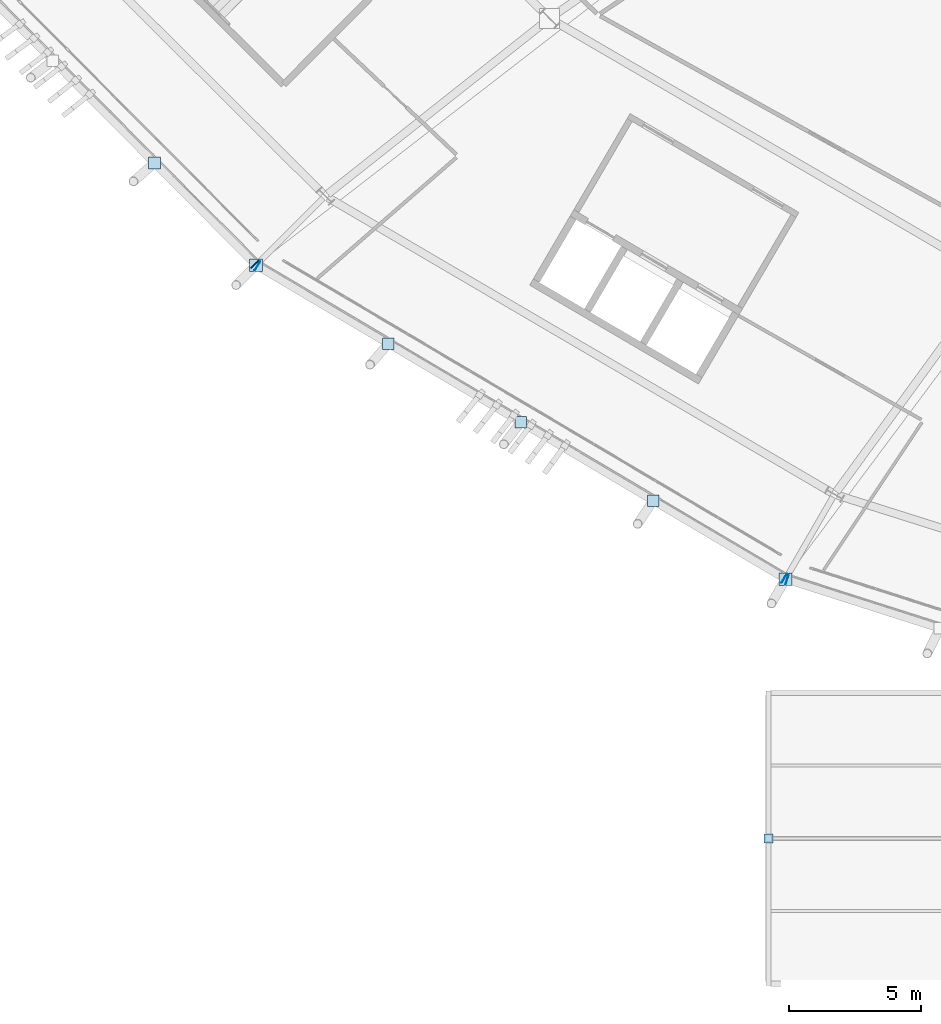
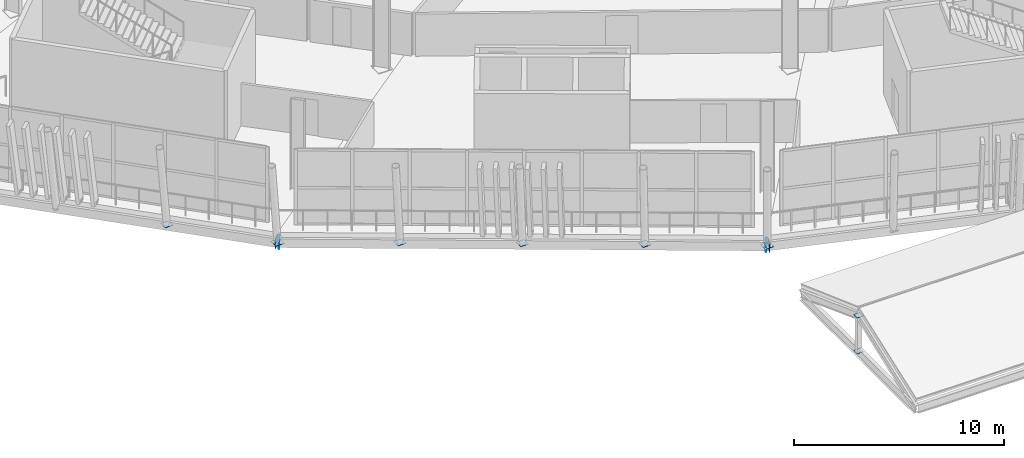
# One storey, part 92 of 168: 12 plates.
"""IFC4 building model written with IfcOpenShell, lengths in metres."""

from ifc_helpers import new_model, si_unit, direction, frame, origin, origin_2d, place, context, subcontext, project, spatial, rectangle, extrude, material, layer, layer_set, type_object, element, save


model = new_model("IFC4")

# Units and contexts
model_context = context("Model", 3, precision=1e-05, world=origin(), true_north=direction((0.0, 1.0)))
body_context = subcontext(model_context, "Body", "Model", "MODEL_VIEW")
ifc_project = project(units=[si_unit("LENGTHUNIT", "METRE"), si_unit("AREAUNIT", "SQUARE_METRE"), si_unit("VOLUMEUNIT", "CUBIC_METRE"), si_unit("PLANEANGLEUNIT", "RADIAN"), si_unit("MASSUNIT", "GRAM", prefix="KILO")], contexts=[model_context])

# Site, building, storey
site_placement = place(None, origin())
site = spatial("IfcSite", under=ifc_project, at=site_placement, CompositionType="ELEMENT")
building_placement = place(site_placement, origin())
building = spatial("IfcBuilding", under=site, at=building_placement, Name="Zlatoyarsky Gate Stadium", CompositionType="ELEMENT")
storey_placement = place(building_placement, frame((0.0, 0.0, 15.60009765625)))
storey = spatial("IfcBuildingStorey", under=building, at=storey_placement, Name="L03", CompositionType="ELEMENT", Elevation=15.60009765625)

# Plates
ifc_material = material(Name="Steel S355", Category="steel")
ifc_layer = layer(ifc_material, 0.02392578125)
ifc_layer_set = layer_set([ifc_layer], Name="Steel S355")
plate_type = type_object("IfcPlateType", Name="STEEL HOLLOW CHORD SPLICE SHEET 24", PredefinedType="SHEET", material=ifc_layer_set)
for number, where, z_axis, x_axis, name in (
    (1, (42.578857421875, 27.22021484375, -0.830078125), (0.0, 0.0, 1.0), (0.70472967068, -0.709475927191, 0.0), "Hollow end cap ND-SP1 CAP-L03-SPD-14 B"),
    (2, (42.6728515625, 27.14697265625, -0.830078125), (0.0, 0.0, 1.0), (0.860228734412, -0.50990834911, 0.0), "Hollow end cap ND-SP1 CAP-L03-SPD-15 A"),
    (3, (62.597412109375, 15.336669921875, -0.830078125), (0.0, 0.0, 1.0), (0.860228734412, -0.50990834911, 0.0), "Hollow end cap ND-SP1 CAP-L03-SPD-15 B"),
):
    element("IfcPlate", number, at=place(storey_placement, frame(where, z_axis=z_axis, x_axis=x_axis)), inside=storey, type_object=plate_type, Name=name, PredefinedType="SHEET", context=body_context, shape_type="SweptSolid", body=[
        extrude(rectangle(XDim=0.02392578125, YDim=0.39990234375, at=origin_2d()), origin(), (0.0, 0.0, 1.0), 0.60009765625),
    ])
plate_1_placement = place(storey_placement, frame((42.62109375, 27.177490234375, -0.592041015625), z_axis=(0.0, 0.0, 1.0), x_axis=(1.0, 0.0, 0.0)))
element("IfcPlate", 4, at=plate_1_placement, inside=storey, type_object=plate_type, Name="Node closure plate ND-SP1 NCAP-L03-RSTR-15", PredefinedType="SHEET", context=body_context, shape_type="SweptSolid", body=[
    extrude(rectangle(XDim=0.47998046875, YDim=0.47998046875, at=origin_2d()), origin(), (0.0, 0.0, 1.0), 0.02392578125),
])
plate_2_placement = place(storey_placement, frame((62.7060546875, 15.28759765625, -0.830078125), z_axis=(0.0, 0.0, 1.0), x_axis=(0.952429647301, -0.304758538753, 0.0)))
element("IfcPlate", 5, at=plate_2_placement, inside=storey, type_object=plate_type, Name="Hollow end cap ND-SP1 CAP-L03-SPD-16 A", PredefinedType="SHEET", context=body_context, shape_type="SweptSolid", body=[
    extrude(rectangle(XDim=0.02392578125, YDim=0.39990234375, at=origin_2d()), origin(), (0.0, 0.0, 1.0), 0.60009765625),
])
plate_3_placement = place(storey_placement, frame((62.64892578125, 15.305908203125, -0.592041015625), z_axis=(0.0, 0.0, 1.0), x_axis=(1.0, 0.0, 0.0)))
element("IfcPlate", 6, at=plate_3_placement, inside=storey, type_object=plate_type, Name="Node closure plate ND-SP1 NCAP-L03-RSTR-16", PredefinedType="SHEET", context=body_context, shape_type="SweptSolid", body=[
    extrude(rectangle(XDim=0.47998046875, YDim=0.47998046875, at=origin_2d()), origin(), (0.0, 0.0, 1.0), 0.02392578125),
])
for number, where, z_axis, x_axis, name in (
    (7, (38.779296875, 31.04541015625, -0.5419921875), (0.0, 0.0, 1.0), (1.0, 0.0, 0.0), "Node closure plate ND-SP1 NCAP-RIB-14-3-1T"),
    (8, (47.628173828125, 24.209716796875, -0.5419921875), (0.0, 0.0, 1.0), (1.0, 0.0, 0.0), "Node closure plate ND-SP1 NCAP-RIB-15-1-1T"),
    (9, (52.635009765625, 21.24169921875, -0.5419921875), (0.0, 0.0, 1.0), (1.0, 0.0, 0.0), "Node closure plate ND-SP1 NCAP-RIB-15-2-1T"),
    (10, (57.64208984375, 18.27392578125, -0.5419921875), (0.0, 0.0, 1.0), (1.0, 0.0, 0.0), "Node closure plate ND-SP1 NCAP-RIB-15-3-1T"),
):
    element("IfcPlate", number, at=place(storey_placement, frame(where, z_axis=z_axis, x_axis=x_axis)), inside=storey, type_object=plate_type, Name=name, PredefinedType="SHEET", context=body_context, shape_type="SweptSolid", body=[
        extrude(rectangle(XDim=0.43994140625, YDim=0.43994140625, at=origin_2d()), origin(), (0.0, 0.0, 1.0), 0.02392578125),
    ])
for number, where, z_axis, x_axis, name in (
    (11, (62.0, 5.5, -0.5419921875), (0.0, 0.0, 1.0), (1.0, 0.0, 0.0), "Node closure plate ND-SP1 NCAP-KP-V3_SOUTH_W-1A"),
    (12, (62.0, 5.5, 1.537841796875), (0.0, 0.0, 1.0), (1.0, 0.0, 0.0), "Node closure plate ND-SP1 NCAP-KP-V3_SOUTH_W-1B"),
):
    element("IfcPlate", number, at=place(storey_placement, frame(where, z_axis=z_axis, x_axis=x_axis)), inside=storey, type_object=plate_type, Name=name, PredefinedType="SHEET", context=body_context, shape_type="SweptSolid", body=[
        extrude(rectangle(XDim=0.340087890625, YDim=0.340087890625, at=origin_2d()), origin(), (0.0, 0.0, 1.0), 0.02392578125),
    ])

save(model, "model.ifc")
